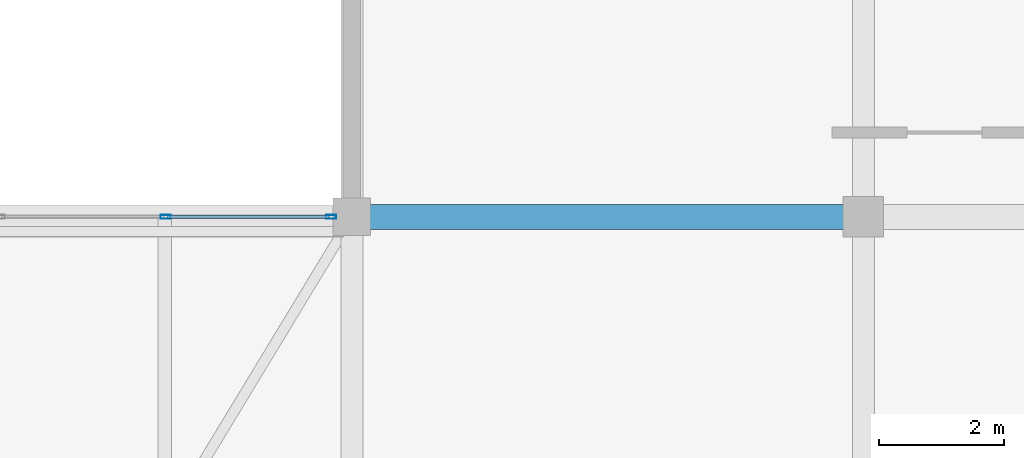
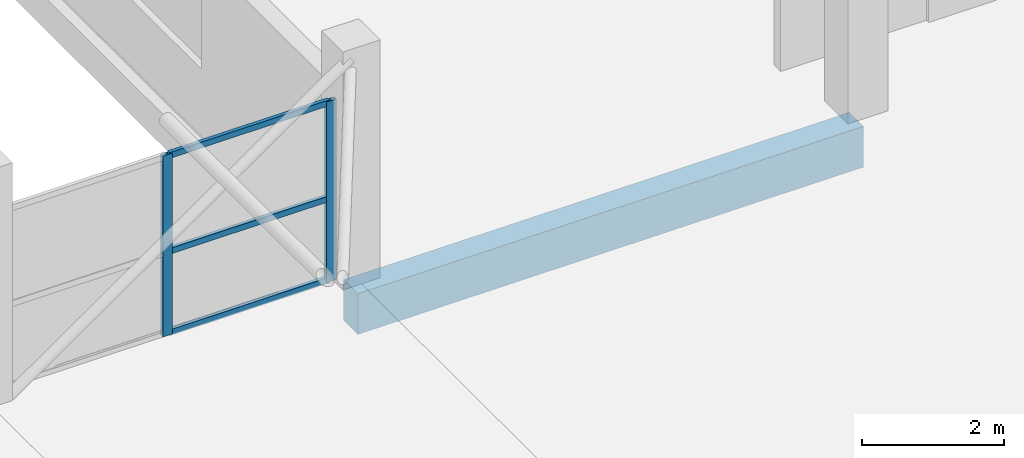
# One storey, part 41 of 66: 5 members, 1 beam, 1 element without a shape of its own.
"""IFC4 building model written with IfcOpenShell, lengths in metres."""

from ifc_helpers import new_model, si_unit, direction, frame, origin, origin_2d, place, context, subcontext, project, spatial, rectangle, hollow_rectangle, extrude, material, layer, layer_set, material_profile, profile_set, type_object, element, aggregate, save


model = new_model("IFC4")

# Units and contexts
model_context = context("Model", 3, precision=1e-05, world=origin(), true_north=direction((0.0, 1.0)))
body_context = subcontext(model_context, "Body", "Model", "MODEL_VIEW")
ifc_project = project(units=[si_unit("LENGTHUNIT", "METRE"), si_unit("AREAUNIT", "SQUARE_METRE"), si_unit("VOLUMEUNIT", "CUBIC_METRE"), si_unit("PLANEANGLEUNIT", "RADIAN"), si_unit("MASSUNIT", "GRAM", prefix="KILO")], contexts=[model_context])

# Site, building, storey
site_placement = place(None, origin())
site = spatial("IfcSite", under=ifc_project, at=site_placement, CompositionType="ELEMENT")
building_placement = place(site_placement, origin())
building = spatial("IfcBuilding", under=site, at=building_placement, Name="Sillaruma Civic Art Gallery", CompositionType="ELEMENT")
storey_placement = place(building_placement, frame((0.0, 0.0, 62.219970703125)))
storey = spatial("IfcBuildingStorey", under=building, at=storey_placement, Name="L12", CompositionType="ELEMENT", Elevation=62.219970703125)

# Beam
ifc_material_1 = material(Name="Concrete H35 (35 MPa)", Category="concrete")
ifc_material_profile_1 = material_profile(ifc_material_1, rectangle(XDim=0.39990234375, YDim=0.699951171875, at=origin_2d()), Name="RCB400x700")
ifc_profile_set_1 = profile_set([ifc_material_profile_1], Name="Concrete H35 (35 MPa)")
beam_type = type_object("IfcBeamType", Name="BM-BEAM-RCB400x700", PredefinedType="BEAM", material=ifc_profile_set_1)
beam_placement = place(storey_placement, frame((98.0, 79.199951171875, -0.580078125), z_axis=(1.0, 0.0, 0.0), x_axis=(0.0, 1.0, 0.0)))
element("IfcBeam", 1, at=beam_placement, inside=storey, type_object=beam_type, Name="Beam BM-04 (L11:9:L-M)", PredefinedType="BEAM", context=body_context, shape_type="SweptSolid", body=[
    extrude(rectangle(XDim=0.39990234375, YDim=0.699951171875, at=origin_2d()), origin(), (0.0, 0.0, 1.0), 8.199951171875),
])

# Curtain wall, members
ifc_material_2 = material(Name="Thermally Broken Extruded Aluminium 6063-T6", Category="aluminium")
ifc_layer = layer(ifc_material_2, 0.159912109375, Name="Thermally Broken Extruded Aluminium 6063-T6")
ifc_layer_set = layer_set([ifc_layer], Name="Thermally Broken Extruded Aluminium 6063-T6")
curtain_wall_type = type_object("IfcCurtainWallType", Name="CW-UNI-104", PredefinedType="NOTDEFINED", material=ifc_layer_set)
curtain_wall_placement = place(storey_placement, origin())
curtain_wall = element("IfcCurtainWall", 2, at=curtain_wall_placement, inside=storey, type_object=curtain_wall_type, Name="Unitised Curtain Wall CW-104 (CW-BRG-N-L12-N)", PredefinedType="NOTDEFINED")
ifc_material_profile_2 = material_profile(ifc_material_2, hollow_rectangle(XDim=0.06494140625, YDim=0.159912109375, WallThickness=0.00390625, at=origin_2d()), Name="CWM65x160")
ifc_profile_set_2 = profile_set([ifc_material_profile_2], Name="Thermally Broken Extruded Aluminium 6063-T6")
member_type_1 = type_object("IfcMemberType", Name="MEM-MUL-CWM65x160", PredefinedType="MULLION", material=ifc_profile_set_2)
member_1_placement = place(storey_placement, frame((95.012451171875, 79.199951171875, 0.0), z_axis=(0.0, 0.0, 1.0), x_axis=(0.0, 1.0, 0.0)))
member_1 = element("IfcMember", 3, at=member_1_placement, type_object=member_type_1, Name="CW-104 mullion 2", PredefinedType="MULLION", context=body_context, shape_type="SweptSolid", body=[
    extrude(hollow_rectangle(XDim=0.06494140625, YDim=0.159912109375, WallThickness=0.00390625, at=origin_2d()), origin(), (0.0, 0.0, 1.0), 3.10009765625),
])
member_2_placement = place(storey_placement, frame((97.66748046875, 79.199951171875, 0.0), z_axis=(0.0, 0.0, 1.0), x_axis=(0.0, 1.0, 0.0)))
member_2 = element("IfcMember", 4, at=member_2_placement, type_object=member_type_1, Name="CW-104 mullion 3", PredefinedType="MULLION", context=body_context, shape_type="SweptSolid", body=[
    extrude(hollow_rectangle(XDim=0.06494140625, YDim=0.159912109375, WallThickness=0.00390625, at=origin_2d()), origin(), (0.0, 0.0, 1.0), 3.10009765625),
])
ifc_material_profile_3 = material_profile(ifc_material_2, hollow_rectangle(XDim=0.06005859375, YDim=0.10009765625, WallThickness=0.003173828125, at=origin_2d()), Name="CWT60x100")
ifc_profile_set_3 = profile_set([ifc_material_profile_3], Name="Thermally Broken Extruded Aluminium 6063-T6")
member_type_2 = type_object("IfcMemberType", Name="MEM-TRN-CWT60x100", PredefinedType="USERDEFINED", material=ifc_profile_set_3)
member_3_placement = place(storey_placement, frame((95.044921875, 79.199951171875, 0.030029296875), z_axis=(1.0, 0.0, 0.0), x_axis=(0.0, 1.0, 0.0)))
member_3 = element("IfcMember", 5, at=member_3_placement, type_object=member_type_2, Name="CW-104 transom 2.1", ObjectType="TRANSOM", PredefinedType="USERDEFINED", context=body_context, shape_type="SweptSolid", body=[
    extrude(hollow_rectangle(XDim=0.06005859375, YDim=0.10009765625, WallThickness=0.003173828125, at=origin_2d()), origin(), (0.0, 0.0, 1.0), 2.590087890625),
])
member_4_placement = place(storey_placement, frame((95.044921875, 79.199951171875, 1.426025390625), z_axis=(1.0, 0.0, 0.0), x_axis=(0.0, 1.0, 0.0)))
member_4 = element("IfcMember", 6, at=member_4_placement, type_object=member_type_2, Name="CW-104 transom 2.2", ObjectType="TRANSOM", PredefinedType="USERDEFINED", context=body_context, shape_type="SweptSolid", body=[
    extrude(hollow_rectangle(XDim=0.06005859375, YDim=0.10009765625, WallThickness=0.003173828125, at=origin_2d()), origin(), (0.0, 0.0, 1.0), 2.590087890625),
])
member_5_placement = place(storey_placement, frame((95.044921875, 79.199951171875, 3.070068359375), z_axis=(1.0, 0.0, 0.0), x_axis=(0.0, 1.0, 0.0)))
member_5 = element("IfcMember", 7, at=member_5_placement, type_object=member_type_2, Name="CW-104 transom 2.3", ObjectType="TRANSOM", PredefinedType="USERDEFINED", context=body_context, shape_type="SweptSolid", body=[
    extrude(hollow_rectangle(XDim=0.06005859375, YDim=0.10009765625, WallThickness=0.003173828125, at=origin_2d()), origin(), (0.0, 0.0, 1.0), 2.590087890625),
])
aggregate(curtain_wall, [member_1, member_2, member_3, member_4, member_5])

save(model, "model.ifc")
